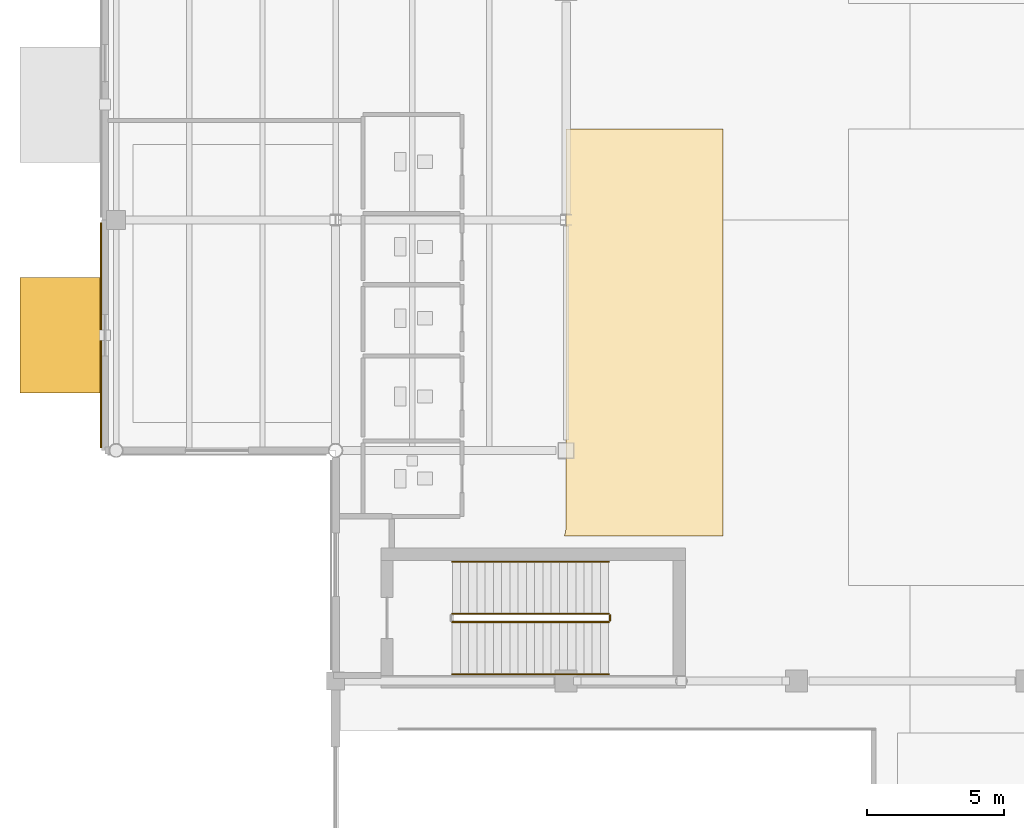
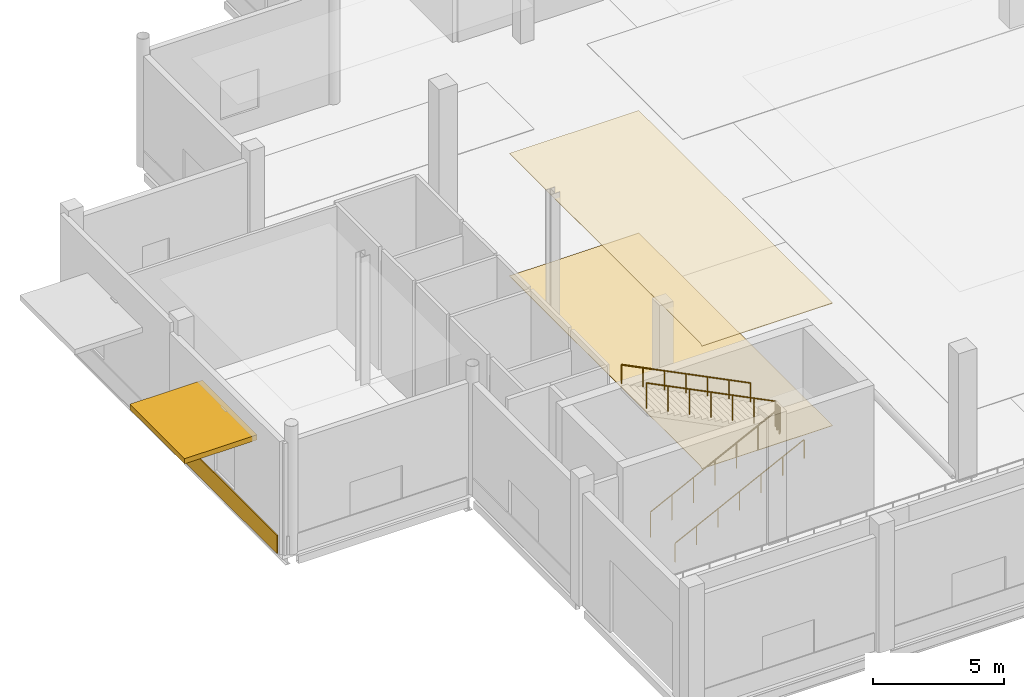
# One storey, part 65 of 85: 5 railings, 3 coverings, 1 shading device.
"""IFC4 building model written with IfcOpenShell, lengths in metres."""

from ifc_helpers import new_model, si_unit, direction, frame, origin, origin_2d, place, context, subcontext, project, spatial, polyline, rectangle, circle, outline, extrude, material, layer, layer_set, type_object, element, save


model = new_model("IFC4")

# Units and contexts
model_context = context("Model", 3, precision=1e-05, world=origin(), true_north=direction((0.0, 1.0)))
body_context = subcontext(model_context, "Body", "Model", "MODEL_VIEW")
ifc_project = project(units=[si_unit("LENGTHUNIT", "METRE"), si_unit("AREAUNIT", "SQUARE_METRE"), si_unit("VOLUMEUNIT", "CUBIC_METRE"), si_unit("PLANEANGLEUNIT", "RADIAN"), si_unit("MASSUNIT", "GRAM", prefix="KILO"), si_unit("THERMODYNAMICTEMPERATUREUNIT", "KELVIN")], contexts=[model_context])

# Site, building, storey
site_placement = place(None, origin())
site = spatial("IfcSite", under=ifc_project, at=site_placement, CompositionType="ELEMENT")
building_placement = place(site_placement, origin())
building = spatial("IfcBuilding", under=site, at=building_placement, Name="Lustrewick Department Store", CompositionType="ELEMENT")
storey_placement = place(building_placement, origin())
storey = spatial("IfcBuildingStorey", under=building, at=storey_placement, Name="L01", CompositionType="ELEMENT", Elevation=0.0)

# Coverings
ifc_material_1 = material(Name="Rusticated Fangshan cream limestone", Category="masonry")
ifc_layer_1 = layer(ifc_material_1, 0.050048828125, Name="Rusticated Fangshan cream limestone")
ifc_layer_set_1 = layer_set([ifc_layer_1], Name="Rusticated Fangshan cream limestone")
covering_type_1 = type_object("IfcCoveringType", Name="CLD-LIME", PredefinedType="CLADDING", material=ifc_layer_set_1)
covering_1_placement = place(storey_placement, frame((-0.155029296875, 63.0, 0.02490234375), z_axis=(0.0, 0.0, 1.0), x_axis=(0.0, -1.0, 0.0)))
element("IfcCovering", 1, at=covering_1_placement, inside=storey, type_object=covering_type_1, Name="L01 Limestone Plinth Band 020", PredefinedType="CLADDING", context=body_context, shape_type="SweptSolid", body=[
    extrude(rectangle(XDim=8.199951171875, YDim=0.050048828125, at=origin_2d()), origin(), (0.0, 0.0, 1.0), 0.85009765625),
])
ifc_material_2 = material(Name="Perforated mineral-fibre acoustic ceiling board", Category="gypsum")
ifc_layer_2 = layer(ifc_material_2, 0.02490234375, Name="Perforated mineral-fibre acoustic ceiling board")
ifc_layer_set_2 = layer_set([ifc_layer_2], Name="Perforated mineral-fibre acoustic ceiling board")
covering_type_2 = type_object("IfcCoveringType", Name="COV-CEIL", PredefinedType="CEILING", material=ifc_layer_set_2)
covering_2_placement = place(storey_placement, frame((0.0, 0.0, 5.719970703125)))
element("IfcCovering", 2, at=covering_2_placement, inside=storey, type_object=covering_type_2, Name="L01 V1 Retail Merchandise Gallery 5 Acoustic Ceiling", PredefinedType="CEILING", context=body_context, shape_type="SweptSolid", body=[
    extrude(outline(polyline([(20.702880859375, 55.68994140625), (20.78759765625, 55.685791015625), (20.82666015625, 55.679931640625), (22.510009765625, 55.679931640625), (22.510009765625, 70.510009765625), (16.7900390625, 70.510009765625), (16.7900390625, 55.9970703125), (16.785888671875, 55.912353515625), (16.773193359375, 55.828369140625), (16.772705078125, 55.824951171875), (16.768798828125, 55.8076171875), (16.768310546875, 55.80419921875), (16.74560546875, 55.721435546875), (16.7333984375, 55.68994140625), (20.702880859375, 55.68994140625)])), origin(), (0.0, 0.0, 1.0), 0.025146484375),
])
ifc_material_3 = material(Name="Polished terrazzo and porcelain floor finish", Category="masonry")
ifc_layer_3 = layer(ifc_material_3, 0.02001953125, Name="Polished terrazzo and porcelain floor finish")
ifc_layer_set_3 = layer_set([ifc_layer_3], Name="Polished terrazzo and porcelain floor finish")
covering_type_3 = type_object("IfcCoveringType", Name="COV-FLR", PredefinedType="FLOORING", material=ifc_layer_set_3)
covering_3_placement = place(storey_placement, origin())
element("IfcCovering", 3, at=covering_3_placement, inside=storey, type_object=covering_type_3, Name="L01 V1 Retail Merchandise Gallery 5 Terrazzo Flooring", PredefinedType="FLOORING", context=body_context, shape_type="SweptSolid", body=[
    extrude(outline(polyline([(20.702880859375, 55.68994140625), (20.78759765625, 55.685791015625), (20.82666015625, 55.679931640625), (22.510009765625, 55.679931640625), (22.510009765625, 70.510009765625), (16.7900390625, 70.510009765625), (16.7900390625, 55.9970703125), (16.785888671875, 55.912353515625), (16.773193359375, 55.828369140625), (16.772705078125, 55.824951171875), (16.768798828125, 55.8076171875), (16.768310546875, 55.80419921875), (16.74560546875, 55.721435546875), (16.7333984375, 55.68994140625), (20.702880859375, 55.68994140625)])), origin(), (0.0, 0.0, 1.0), 0.02001953125),
])

# Railings
ifc_material_4 = material(Name="Painted tubular steel stairwell guardrail", Category="steel")
railing_type_1 = type_object("IfcRailingType", Name="RL-STG", PredefinedType="GUARDRAIL", material=ifc_material_4)
railing_1_placement = place(storey_placement, frame((12.64990234375, 52.550048828125, 0.14990234375)))
element("IfcRailing", 4, at=railing_1_placement, inside=storey, type_object=railing_type_1, Name="L01 ST01 Stair Guard 1", PredefinedType="GUARDRAIL", context=body_context, shape_type="SweptSolid", body=[
    extrude(circle(Radius=0.02392578125, at=origin_2d()), frame((0.0, 0.0, 1.17578125), z_axis=(0.894427191, 0.0, 0.4472135955), x_axis=(0.0, 1.0, 0.0)), (0.0, 0.0, 1.0), 6.373046875),
    extrude(circle(Radius=0.02099609375, at=origin_2d()), origin(), (0.0, 0.0, 1.0), 1.15185546875),
    extrude(circle(Radius=0.02099609375, at=origin_2d()), frame((0.949951171875, 0.0, 0.47509765625)), (0.0, 0.0, 1.0), 1.15185546875),
    extrude(circle(Radius=0.02099609375, at=origin_2d()), frame((1.900146484375, 0.0, 0.949951171875)), (0.0, 0.0, 1.0), 1.15185546875),
    extrude(circle(Radius=0.02099609375, at=origin_2d()), frame((2.85009765625, 0.0, 1.425048828125)), (0.0, 0.0, 1.0), 1.15185546875),
    extrude(circle(Radius=0.02099609375, at=origin_2d()), frame((3.800048828125, 0.0, 1.900146484375)), (0.0, 0.0, 1.0), 1.15185546875),
    extrude(circle(Radius=0.02099609375, at=origin_2d()), frame((4.750244140625, 0.0, 2.375)), (0.0, 0.0, 1.0), 1.15185546875),
    extrude(circle(Radius=0.02099609375, at=origin_2d()), frame((5.7001953125, 0.0, 2.85009765625)), (0.0, 0.0, 1.0), 1.15185546875),
])
railing_2_placement = place(storey_placement, frame((18.39990234375, 52.60009765625, 3.0)))
element("IfcRailing", 5, at=railing_2_placement, inside=storey, type_object=railing_type_1, Name="L01 ST01 Stair Guard 2", PredefinedType="GUARDRAIL", context=body_context, shape_type="SweptSolid", body=[
    extrude(circle(Radius=0.02392578125, at=origin_2d()), frame((0.0, 0.0, 1.17578125), z_axis=(0.0, 1.0, 0.0), x_axis=(-1.0, 0.0, 0.0)), (0.0, 0.0, 1.0), 0.199951171875),
    extrude(circle(Radius=0.02099609375, at=origin_2d()), origin(), (0.0, 0.0, 1.0), 1.15185546875),
    extrude(circle(Radius=0.02099609375, at=origin_2d()), frame((0.0, 0.199951171875, 0.0)), (0.0, 0.0, 1.0), 1.15185546875),
])
railing_3_placement = place(storey_placement, frame((18.35009765625, 52.85009765625, 3.14990234375)))
element("IfcRailing", 6, at=railing_3_placement, inside=storey, type_object=railing_type_1, Name="L01 ST01 Stair Guard 3", PredefinedType="GUARDRAIL", context=body_context, shape_type="SweptSolid", body=[
    extrude(circle(Radius=0.02392578125, at=origin_2d()), frame((0.0, 0.0, 1.17578125), z_axis=(-0.894427191, 0.0, 0.4472135955), x_axis=(0.0, -1.0, 0.0)), (0.0, 0.0, 1.0), 6.373046875),
    extrude(circle(Radius=0.02099609375, at=origin_2d()), origin(), (0.0, 0.0, 1.0), 1.15185546875),
    extrude(circle(Radius=0.02099609375, at=origin_2d()), frame((-0.949951171875, 0.0, 0.47509765625)), (0.0, 0.0, 1.0), 1.15185546875),
    extrude(circle(Radius=0.02099609375, at=origin_2d()), frame((-1.900146484375, 0.0, 0.949951171875)), (0.0, 0.0, 1.0), 1.15185546875),
    extrude(circle(Radius=0.02099609375, at=origin_2d()), frame((-2.85009765625, 0.0, 1.425048828125)), (0.0, 0.0, 1.0), 1.15185546875),
    extrude(circle(Radius=0.02099609375, at=origin_2d()), frame((-3.800048828125, 0.0, 1.900146484375)), (0.0, 0.0, 1.0), 1.15185546875),
    extrude(circle(Radius=0.02099609375, at=origin_2d()), frame((-4.750244140625, 0.0, 2.375)), (0.0, 0.0, 1.0), 1.15185546875),
    extrude(circle(Radius=0.02099609375, at=origin_2d()), frame((-5.7001953125, 0.0, 2.85009765625)), (0.0, 0.0, 1.0), 1.15185546875),
])
ifc_material_5 = material(Name="Brushed stainless steel wall handrail", Category="steel")
railing_type_2 = type_object("IfcRailingType", Name="RL-STH", PredefinedType="HANDRAIL", material=ifc_material_5)
railing_4_placement = place(storey_placement, frame((12.64990234375, 50.64990234375, 0.14990234375)))
element("IfcRailing", 7, at=railing_4_placement, inside=storey, type_object=railing_type_2, Name="L01 ST01 Stair Handrail 1", PredefinedType="HANDRAIL", context=body_context, shape_type="SweptSolid", body=[
    extrude(circle(Radius=0.02392578125, at=origin_2d()), frame((0.0, 0.0, 0.8759765625), z_axis=(0.894427191, 0.0, 0.4472135955), x_axis=(0.0, 1.0, 0.0)), (0.0, 0.0, 1.0), 6.373046875),
    extrude(circle(Radius=0.02099609375, at=origin_2d()), origin(), (0.0, 0.0, 1.0), 0.851806640625),
    extrude(circle(Radius=0.02099609375, at=origin_2d()), frame((0.949951171875, 0.0, 0.47509765625)), (0.0, 0.0, 1.0), 0.851806640625),
    extrude(circle(Radius=0.02099609375, at=origin_2d()), frame((1.900146484375, 0.0, 0.949951171875)), (0.0, 0.0, 1.0), 0.851806640625),
    extrude(circle(Radius=0.02099609375, at=origin_2d()), frame((2.85009765625, 0.0, 1.425048828125)), (0.0, 0.0, 1.0), 0.851806640625),
    extrude(circle(Radius=0.02099609375, at=origin_2d()), frame((3.800048828125, 0.0, 1.900146484375)), (0.0, 0.0, 1.0), 0.851806640625),
    extrude(circle(Radius=0.02099609375, at=origin_2d()), frame((4.750244140625, 0.0, 2.375)), (0.0, 0.0, 1.0), 0.851806640625),
    extrude(circle(Radius=0.02099609375, at=origin_2d()), frame((5.7001953125, 0.0, 2.85009765625)), (0.0, 0.0, 1.0), 0.851806640625),
])
railing_5_placement = place(storey_placement, frame((18.35009765625, 54.75, 3.14990234375)))
element("IfcRailing", 8, at=railing_5_placement, inside=storey, type_object=railing_type_2, Name="L01 ST01 Stair Handrail 2", PredefinedType="HANDRAIL", context=body_context, shape_type="SweptSolid", body=[
    extrude(circle(Radius=0.02392578125, at=origin_2d()), frame((0.0, 0.0, 0.8759765625), z_axis=(-0.894427191, 0.0, 0.4472135955), x_axis=(0.0, -1.0, 0.0)), (0.0, 0.0, 1.0), 6.373046875),
    extrude(circle(Radius=0.02099609375, at=origin_2d()), origin(), (0.0, 0.0, 1.0), 0.851806640625),
    extrude(circle(Radius=0.02099609375, at=origin_2d()), frame((-0.949951171875, 0.0, 0.47509765625)), (0.0, 0.0, 1.0), 0.851806640625),
    extrude(circle(Radius=0.02099609375, at=origin_2d()), frame((-1.900146484375, 0.0, 0.949951171875)), (0.0, 0.0, 1.0), 0.851806640625),
    extrude(circle(Radius=0.02099609375, at=origin_2d()), frame((-2.85009765625, 0.0, 1.425048828125)), (0.0, 0.0, 1.0), 0.851806640625),
    extrude(circle(Radius=0.02099609375, at=origin_2d()), frame((-3.800048828125, 0.0, 1.900146484375)), (0.0, 0.0, 1.0), 0.851806640625),
    extrude(circle(Radius=0.02099609375, at=origin_2d()), frame((-4.750244140625, 0.0, 2.375)), (0.0, 0.0, 1.0), 0.851806640625),
    extrude(circle(Radius=0.02099609375, at=origin_2d()), frame((-5.7001953125, 0.0, 2.85009765625)), (0.0, 0.0, 1.0), 0.851806640625),
])

# Shading device
ifc_material_6 = material(Name="Charcoal-black painted steel and laminated glass marquise", Category="steel")
shading_device_type = type_object("IfcShadingDeviceType", Name="SHD-MARQ", PredefinedType="AWNING", material=ifc_material_6)
shading_device_placement = place(storey_placement, frame((-1.5, 63.0, 4.02978515625), z_axis=(0.0, 0.0, 1.0), x_axis=(0.0, 1.0, 0.0)))
element("IfcShadingDevice", 9, at=shading_device_placement, inside=storey, type_object=shading_device_type, Name="L01 Art Nouveau Entrance Marquise 05", PredefinedType="AWNING", context=body_context, shape_type="SweptSolid", body=[
    extrude(rectangle(XDim=4.199951171875, YDim=3.199951171875, at=origin_2d()), origin(), (0.0, 0.0, 1.0), 0.239990234375),
])

save(model, "model.ifc")
